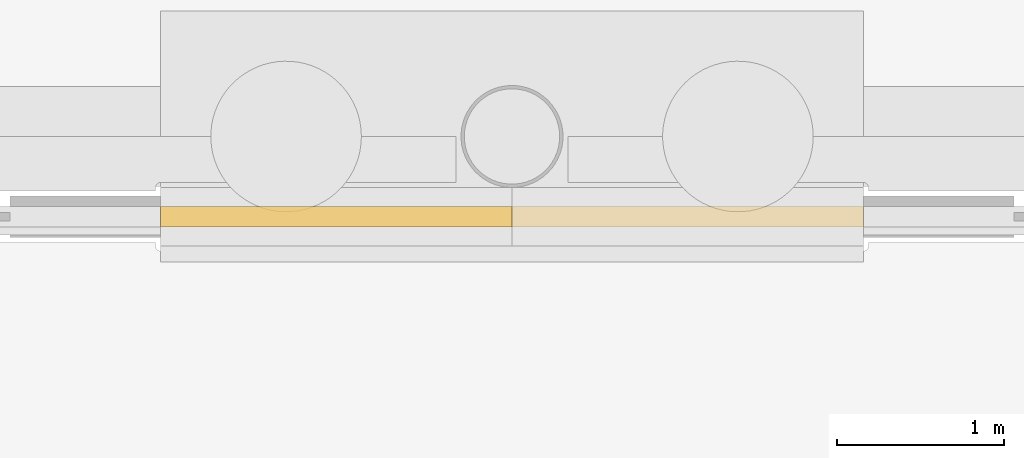
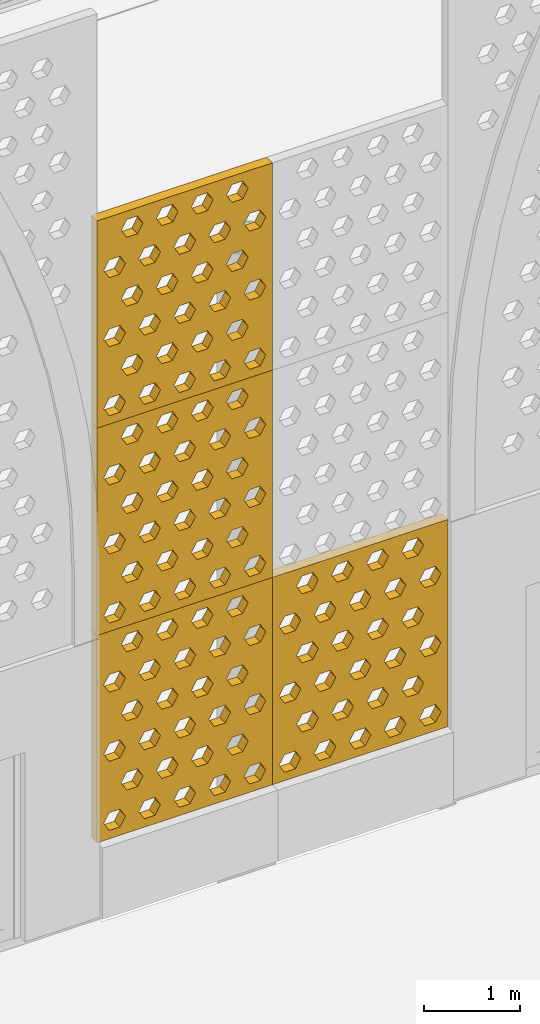
# One storey, part 193 of 250: 4 shading devices.
"""IFC4 building model written with IfcOpenShell, lengths in metres."""

import ifcopenshell
import ifcopenshell.guid

model = None  # the IFC model being written
_history = None  # IfcOwnerHistory: only IFC2X3 demands one
_inside = {}  # id of a spatial element -> (the spatial element, [elements in it])
_under = {}  # id of a project, library or spatial element -> (it, [spatial elements below it])
_declared = {}  # id of a project -> (the project, [libraries it declares])
_typed = {}  # id of a type object -> (the type object, [elements of that type])
_made_of = {}  # id of a material, layer set ... -> (it, [elements and type objects made of it])


def new_model(schema):
    """Start an empty IFC model of exactly this schema.

    Asked for "IFC4X3", IfcOpenShell would pick the latest addendum, in which some entities
    have other attributes; the version numbers below select the first issue.
    IFC2X3 requires an IfcOwnerHistory on every rooted entity: one is made here for all.
    """
    global model, _history
    if schema == "IFC4X3":
        model = ifcopenshell.file(schema_version=(4, 3, 0, 0))
    else:
        model = ifcopenshell.file(schema=schema)
    _inside.clear()
    _under.clear()
    _declared.clear()
    _typed.clear()
    _made_of.clear()
    _history = None
    if model.schema == "IFC2X3":
        org = make("IfcOrganization", Name="unknown")
        user = make(
            "IfcPersonAndOrganization",
            ThePerson=make("IfcPerson", FamilyName="unknown"),
            TheOrganization=org,
        )
        app = make(
            "IfcApplication",
            ApplicationDeveloper=org,
            Version="unknown",
            ApplicationFullName="unknown",
            ApplicationIdentifier="unknown",
        )
        _history = make(
            "IfcOwnerHistory",
            OwningUser=user,
            OwningApplication=app,
            ChangeAction="ADDED",
            CreationDate=0,
        )
    return model


def make(cls, **values):
    """One entity of the class cls with the attributes given. An attribute that is None is left unset."""
    return model.create_entity(
        cls, **{name: value for name, value in values.items() if value is not None}
    )


def rooted(cls, **values):
    """An entity with a GlobalId (a new one), such as an element, a storey or a relation."""
    return make(cls, GlobalId=ifcopenshell.guid.new(), OwnerHistory=_history, **values)


def si_unit(unit_type, name, prefix=None):
    """IfcSIUnit, for example si_unit("LENGTHUNIT", "METRE", prefix="MILLI")."""
    return make("IfcSIUnit", UnitType=unit_type, Prefix=prefix, Name=name)


def assignment(units):
    """IfcUnitAssignment: the units of a project."""
    return None if units is None else make("IfcUnitAssignment", Units=units)


def point(xyz):
    """IfcCartesianPoint."""
    return None if xyz is None else make("IfcCartesianPoint", Coordinates=xyz)


def direction(xyz):
    """IfcDirection."""
    return None if xyz is None else make("IfcDirection", DirectionRatios=xyz)


def frame(location, z_axis=None, x_axis=None):
    """IfcAxis2Placement3D, a coordinate frame: its origin and axes. An axis left out is left unset."""
    return make(
        "IfcAxis2Placement3D",
        Location=point(location),
        Axis=direction(z_axis),
        RefDirection=direction(x_axis),
    )


def origin():
    """The frame at (0, 0, 0) with its axes left unset."""
    return frame((0.0, 0.0, 0.0))


def place(relative_to, where):
    """IfcLocalPlacement: puts the frame where relative to a parent placement (None: the world)."""
    return make(
        "IfcLocalPlacement", PlacementRelTo=relative_to, RelativePlacement=where
    )


def context(
    kind, dimensions, precision=None, world=None, true_north=None, identifier=None
):
    """IfcGeometricRepresentationContext, for example the 3D "Model" context."""
    return make(
        "IfcGeometricRepresentationContext",
        ContextIdentifier=identifier,
        ContextType=kind,
        CoordinateSpaceDimension=dimensions,
        Precision=precision,
        WorldCoordinateSystem=world,
        TrueNorth=true_north,
    )


def subcontext(parent, identifier, kind, view, scale=None):
    """IfcGeometricRepresentationSubContext, for example "Body" below "Model"."""
    return make(
        "IfcGeometricRepresentationSubContext",
        ContextIdentifier=identifier,
        ContextType=kind,
        ParentContext=parent,
        TargetScale=scale,
        TargetView=view,
    )


def project(units=None, contexts=None):
    """IfcProject with its units and contexts."""
    return rooted(
        "IfcProject",
        Name="project",
        RepresentationContexts=contexts,
        UnitsInContext=assignment(units),
    )


def spatial(cls, under=None, at=None, **own):
    """A site, building, storey or space (cls), placed at a placement, below another one or the project."""
    s = rooted(cls, ObjectPlacement=at, **own)
    if under is not None:
        _under.setdefault(under.id(), (under, []))[1].append(s)
    return s


def polyline(points):
    """IfcPolyline through the points."""
    return make("IfcPolyline", Points=[point(p) for p in points])


def outline(outer, holes=None, kind="AREA"):
    """IfcArbitraryClosedProfileDef: a profile drawn as a closed curve; with holes, ...WithVoids."""
    if holes is None:
        return make("IfcArbitraryClosedProfileDef", ProfileType=kind, OuterCurve=outer)
    return make(
        "IfcArbitraryProfileDefWithVoids",
        ProfileType=kind,
        OuterCurve=outer,
        InnerCurves=holes,
    )


def extrude(swept, where, along, depth):
    """IfcExtrudedAreaSolid: the profile swept, set in the frame where, extruded along a direction by depth."""
    return make(
        "IfcExtrudedAreaSolid",
        SweptArea=swept,
        Position=where,
        ExtrudedDirection=direction(along),
        Depth=depth,
    )


def shape(context_of_items, identifier, shape_type, items):
    """IfcShapeRepresentation: the items that make up one representation, for example the "Body"."""
    return make(
        "IfcShapeRepresentation",
        ContextOfItems=context_of_items,
        RepresentationIdentifier=identifier,
        RepresentationType=shape_type,
        Items=items,
    )


def material(Name=None, Category=None):
    """IfcMaterial."""
    return make("IfcMaterial", Name=Name, Category=Category)


def layer(
    of_material, thickness, ventilated=None, Name=None, Category=None, Priority=None
):
    """IfcMaterialLayer: one layer of a wall or slab, of a material (None: an air gap)."""
    return make(
        "IfcMaterialLayer",
        Material=of_material,
        LayerThickness=thickness,
        IsVentilated=ventilated,
        Name=Name,
        Category=Category,
        Priority=Priority,
    )


def layer_set(layers, Name=None):
    """IfcMaterialLayerSet."""
    return make("IfcMaterialLayerSet", MaterialLayers=layers, LayerSetName=Name)


def made_of(thing, what):
    """Note that an element or type object is made of a material, layer set ...; save() writes the relation."""
    if what is not None:
        _made_of.setdefault(what.id(), (what, []))[1].append(thing)
    return thing


def type_object(cls, material=None, **own):
    """A type object (cls), such as IfcWallType, which elements share."""
    return made_of(rooted(cls, **own), material)


def element(
    cls,
    number,
    at=None,
    inside=None,
    cuts=None,
    type_object=None,
    material=None,
    context=None,
    identifier="Body",
    shape_type=None,
    held_by="IfcProductDefinitionShape",
    body=None,
    shapes=None,
    **own,
):
    """One element of the class cls, such as IfcWall. Its Tag is "e" and its number.

    at: its placement. inside: the storey or other place that contains it. cuts: it is an
    opening in that element (IfcRelVoidsElement). A single representation is given by context,
    identifier, shape_type and body (its items); several are given by shapes. held_by: the class
    of the entity that holds the representations. save() writes the other relations.
    """
    e = rooted(cls, Tag="e%d" % number, ObjectPlacement=at, **own)
    if body is not None:
        shapes = [shape(context, identifier, shape_type, body)]
    if shapes is not None:
        e.Representation = make(held_by, Representations=shapes)
    if inside is not None:
        _inside.setdefault(inside.id(), (inside, []))[1].append(e)
    if cuts is not None:
        rooted(
            "IfcRelVoidsElement", RelatingBuildingElement=cuts, RelatedOpeningElement=e
        )
    if type_object is not None:
        _typed.setdefault(type_object.id(), (type_object, []))[1].append(e)
    return made_of(e, material)


def aggregate(whole, parts):
    """IfcRelAggregates: a whole, such as a stair, and the parts it consists of."""
    return rooted("IfcRelAggregates", RelatingObject=whole, RelatedObjects=parts)


def save(model, path):
    """Write the relations noted so far, then the file.

    IfcRelAggregates (storeys below a building ...), IfcRelContainedInSpatialStructure (elements
    in a storey), IfcRelDefinesByType, IfcRelAssociatesMaterial and IfcRelDeclares: one each for
    every whole, place, type object, material and project.
    """
    for whole, parts in _under.values():
        aggregate(whole, parts)
    for where, things in _inside.values():
        rooted(
            "IfcRelContainedInSpatialStructure",
            RelatedElements=things,
            RelatingStructure=where,
        )
    for kind, things in _typed.values():
        rooted("IfcRelDefinesByType", RelatedObjects=things, RelatingType=kind)
    for what, things in _made_of.values():
        rooted("IfcRelAssociatesMaterial", RelatedObjects=things, RelatingMaterial=what)
    for by, libraries in _declared.values():
        rooted("IfcRelDeclares", RelatingContext=by, RelatedDefinitions=libraries)
    model.write(path)


model = new_model("IFC4")

# Units and contexts
model_context = context("Model", 3, precision=1e-05, world=origin(), true_north=direction((0.0, 1.0)))
body_context = subcontext(model_context, "Body", "Model", "MODEL_VIEW")
ifc_project = project(units=[si_unit("LENGTHUNIT", "METRE"), si_unit("AREAUNIT", "SQUARE_METRE"), si_unit("VOLUMEUNIT", "CUBIC_METRE"), si_unit("PLANEANGLEUNIT", "RADIAN"), si_unit("MASSUNIT", "GRAM", prefix="KILO")], contexts=[model_context])

# Site, building, storey
site_placement = place(None, origin())
site = spatial("IfcSite", under=ifc_project, at=site_placement, CompositionType="ELEMENT")
building_placement = place(site_placement, origin())
building = spatial("IfcBuilding", under=site, at=building_placement, Name="Baradari Gate Terminus", CompositionType="ELEMENT")
storey_placement = place(building_placement, origin())
storey = spatial("IfcBuildingStorey", under=building, at=storey_placement, Name="L00", CompositionType="ELEMENT", Elevation=0.0)

# Shading devices
ifc_material = material(Name="Concrete C50/60 precast", Category="concrete")
ifc_layer = layer(ifc_material, 0.1201171875)
ifc_layer_set = layer_set([ifc_layer], Name="Concrete C50/60 precast")
shading_device_type = type_object("IfcShadingDeviceType", Name="Jali screen panel JS-2 120", PredefinedType="SHUTTER", material=ifc_layer_set)
shading_device_1_placement = place(storey_placement, frame((177.89990234375, 35.52001953125, 0.89990234375), z_axis=(0.0, 0.0, 1.0), x_axis=(1.0, 0.0, 0.0)))
element("IfcShadingDevice", 1, at=shading_device_1_placement, inside=storey, type_object=shading_device_type, Name="Jali screen panel JS-2 SC02c row 1 panel 1", PredefinedType="SHUTTER", context=body_context, shape_type="SweptSolid", body=[
    extrude(outline(polyline([(0.0, 0.0), (2.10009765625, 0.0), (2.10009765625, 2.625), (0.0, 2.625), (0.0, 0.0)]), holes=[polyline([(0.340087890625, 0.21875), (0.27490234375, 0.106201171875), (0.14501953125, 0.106201171875), (0.080078125, 0.21875), (0.14501953125, 0.33154296875), (0.27490234375, 0.33154296875), (0.340087890625, 0.21875)]), polyline([(0.760009765625, 0.21875), (0.695068359375, 0.106201171875), (0.56494140625, 0.106201171875), (0.5, 0.21875), (0.56494140625, 0.33154296875), (0.695068359375, 0.33154296875), (0.760009765625, 0.21875)]), polyline([(1.179931640625, 0.21875), (1.114990234375, 0.106201171875), (0.985107421875, 0.106201171875), (0.919921875, 0.21875), (0.985107421875, 0.33154296875), (1.114990234375, 0.33154296875), (1.179931640625, 0.21875)]), polyline([(1.60009765625, 0.21875), (1.534912109375, 0.106201171875), (1.405029296875, 0.106201171875), (1.340087890625, 0.21875), (1.405029296875, 0.33154296875), (1.534912109375, 0.33154296875), (1.60009765625, 0.21875)]), polyline([(2.02001953125, 0.21875), (1.955078125, 0.106201171875), (1.824951171875, 0.106201171875), (1.760009765625, 0.21875), (1.824951171875, 0.33154296875), (1.955078125, 0.33154296875), (2.02001953125, 0.21875)]), polyline([(0.550048828125, 0.65625), (0.485107421875, 0.543701171875), (0.35498046875, 0.543701171875), (0.2900390625, 0.65625), (0.35498046875, 0.76904296875), (0.485107421875, 0.76904296875), (0.550048828125, 0.65625)]), polyline([(0.969970703125, 0.65625), (0.905029296875, 0.543701171875), (0.77490234375, 0.543701171875), (0.7099609375, 0.65625), (0.77490234375, 0.76904296875), (0.905029296875, 0.76904296875), (0.969970703125, 0.65625)]), polyline([(1.389892578125, 0.65625), (1.324951171875, 0.543701171875), (1.195068359375, 0.543701171875), (1.1298828125, 0.65625), (1.195068359375, 0.76904296875), (1.324951171875, 0.76904296875), (1.389892578125, 0.65625)]), polyline([(1.81005859375, 0.65625), (1.7451171875, 0.543701171875), (1.614990234375, 0.543701171875), (1.550048828125, 0.65625), (1.614990234375, 0.76904296875), (1.7451171875, 0.76904296875), (1.81005859375, 0.65625)]), polyline([(0.340087890625, 1.09375), (0.27490234375, 0.981201171875), (0.14501953125, 0.981201171875), (0.080078125, 1.09375), (0.14501953125, 1.20654296875), (0.27490234375, 1.20654296875), (0.340087890625, 1.09375)]), polyline([(0.760009765625, 1.09375), (0.695068359375, 0.981201171875), (0.56494140625, 0.981201171875), (0.5, 1.09375), (0.56494140625, 1.20654296875), (0.695068359375, 1.20654296875), (0.760009765625, 1.09375)]), polyline([(1.179931640625, 1.09375), (1.114990234375, 0.981201171875), (0.985107421875, 0.981201171875), (0.919921875, 1.09375), (0.985107421875, 1.20654296875), (1.114990234375, 1.20654296875), (1.179931640625, 1.09375)]), polyline([(1.60009765625, 1.09375), (1.534912109375, 0.981201171875), (1.405029296875, 0.981201171875), (1.340087890625, 1.09375), (1.405029296875, 1.20654296875), (1.534912109375, 1.20654296875), (1.60009765625, 1.09375)]), polyline([(2.02001953125, 1.09375), (1.955078125, 0.981201171875), (1.824951171875, 0.981201171875), (1.760009765625, 1.09375), (1.824951171875, 1.20654296875), (1.955078125, 1.20654296875), (2.02001953125, 1.09375)]), polyline([(0.550048828125, 1.53125), (0.485107421875, 1.418701171875), (0.35498046875, 1.418701171875), (0.2900390625, 1.53125), (0.35498046875, 1.64404296875), (0.485107421875, 1.64404296875), (0.550048828125, 1.53125)]), polyline([(0.969970703125, 1.53125), (0.905029296875, 1.418701171875), (0.77490234375, 1.418701171875), (0.7099609375, 1.53125), (0.77490234375, 1.64404296875), (0.905029296875, 1.64404296875), (0.969970703125, 1.53125)]), polyline([(1.389892578125, 1.53125), (1.324951171875, 1.418701171875), (1.195068359375, 1.418701171875), (1.1298828125, 1.53125), (1.195068359375, 1.64404296875), (1.324951171875, 1.64404296875), (1.389892578125, 1.53125)]), polyline([(1.81005859375, 1.53125), (1.7451171875, 1.418701171875), (1.614990234375, 1.418701171875), (1.550048828125, 1.53125), (1.614990234375, 1.64404296875), (1.7451171875, 1.64404296875), (1.81005859375, 1.53125)]), polyline([(0.340087890625, 1.96875), (0.27490234375, 1.856201171875), (0.14501953125, 1.856201171875), (0.080078125, 1.96875), (0.14501953125, 2.08154296875), (0.27490234375, 2.08154296875), (0.340087890625, 1.96875)]), polyline([(0.760009765625, 1.96875), (0.695068359375, 1.856201171875), (0.56494140625, 1.856201171875), (0.5, 1.96875), (0.56494140625, 2.08154296875), (0.695068359375, 2.08154296875), (0.760009765625, 1.96875)]), polyline([(1.179931640625, 1.96875), (1.114990234375, 1.856201171875), (0.985107421875, 1.856201171875), (0.919921875, 1.96875), (0.985107421875, 2.08154296875), (1.114990234375, 2.08154296875), (1.179931640625, 1.96875)]), polyline([(1.60009765625, 1.96875), (1.534912109375, 1.856201171875), (1.405029296875, 1.856201171875), (1.340087890625, 1.96875), (1.405029296875, 2.08154296875), (1.534912109375, 2.08154296875), (1.60009765625, 1.96875)]), polyline([(2.02001953125, 1.96875), (1.955078125, 1.856201171875), (1.824951171875, 1.856201171875), (1.760009765625, 1.96875), (1.824951171875, 2.08154296875), (1.955078125, 2.08154296875), (2.02001953125, 1.96875)]), polyline([(0.550048828125, 2.40625), (0.485107421875, 2.293701171875), (0.35498046875, 2.293701171875), (0.2900390625, 2.40625), (0.35498046875, 2.51904296875), (0.485107421875, 2.51904296875), (0.550048828125, 2.40625)]), polyline([(0.969970703125, 2.40625), (0.905029296875, 2.293701171875), (0.77490234375, 2.293701171875), (0.7099609375, 2.40625), (0.77490234375, 2.51904296875), (0.905029296875, 2.51904296875), (0.969970703125, 2.40625)]), polyline([(1.389892578125, 2.40625), (1.324951171875, 2.293701171875), (1.195068359375, 2.293701171875), (1.1298828125, 2.40625), (1.195068359375, 2.51904296875), (1.324951171875, 2.51904296875), (1.389892578125, 2.40625)]), polyline([(1.81005859375, 2.40625), (1.7451171875, 2.293701171875), (1.614990234375, 2.293701171875), (1.550048828125, 2.40625), (1.614990234375, 2.51904296875), (1.7451171875, 2.51904296875), (1.81005859375, 2.40625)])]), frame((0.0, 0.06005859375, 0.0), z_axis=(0.0, -1.0, 0.0), x_axis=(1.0, 0.0, 0.0)), (0.0, 0.0, 1.0), 0.1201171875),
])
shading_device_2_placement = place(storey_placement, frame((177.89990234375, 35.52001953125, 3.52490234375), z_axis=(0.0, 0.0, 1.0), x_axis=(1.0, 0.0, 0.0)))
element("IfcShadingDevice", 2, at=shading_device_2_placement, inside=storey, type_object=shading_device_type, Name="Jali screen panel JS-2 SC02c row 2 panel 1", PredefinedType="SHUTTER", context=body_context, shape_type="SweptSolid", body=[
    extrude(outline(polyline([(0.0, 0.0), (2.10009765625, 0.0), (2.10009765625, 2.625), (0.0, 2.625), (0.0, 0.0)]), holes=[polyline([(0.340087890625, 0.21875), (0.27490234375, 0.106201171875), (0.14501953125, 0.106201171875), (0.080078125, 0.21875), (0.14501953125, 0.33154296875), (0.27490234375, 0.33154296875), (0.340087890625, 0.21875)]), polyline([(0.760009765625, 0.21875), (0.695068359375, 0.106201171875), (0.56494140625, 0.106201171875), (0.5, 0.21875), (0.56494140625, 0.33154296875), (0.695068359375, 0.33154296875), (0.760009765625, 0.21875)]), polyline([(1.179931640625, 0.21875), (1.114990234375, 0.106201171875), (0.985107421875, 0.106201171875), (0.919921875, 0.21875), (0.985107421875, 0.33154296875), (1.114990234375, 0.33154296875), (1.179931640625, 0.21875)]), polyline([(1.60009765625, 0.21875), (1.534912109375, 0.106201171875), (1.405029296875, 0.106201171875), (1.340087890625, 0.21875), (1.405029296875, 0.33154296875), (1.534912109375, 0.33154296875), (1.60009765625, 0.21875)]), polyline([(2.02001953125, 0.21875), (1.955078125, 0.106201171875), (1.824951171875, 0.106201171875), (1.760009765625, 0.21875), (1.824951171875, 0.33154296875), (1.955078125, 0.33154296875), (2.02001953125, 0.21875)]), polyline([(0.550048828125, 0.65625), (0.485107421875, 0.543701171875), (0.35498046875, 0.543701171875), (0.2900390625, 0.65625), (0.35498046875, 0.76904296875), (0.485107421875, 0.76904296875), (0.550048828125, 0.65625)]), polyline([(0.969970703125, 0.65625), (0.905029296875, 0.543701171875), (0.77490234375, 0.543701171875), (0.7099609375, 0.65625), (0.77490234375, 0.76904296875), (0.905029296875, 0.76904296875), (0.969970703125, 0.65625)]), polyline([(1.389892578125, 0.65625), (1.324951171875, 0.543701171875), (1.195068359375, 0.543701171875), (1.1298828125, 0.65625), (1.195068359375, 0.76904296875), (1.324951171875, 0.76904296875), (1.389892578125, 0.65625)]), polyline([(1.81005859375, 0.65625), (1.7451171875, 0.543701171875), (1.614990234375, 0.543701171875), (1.550048828125, 0.65625), (1.614990234375, 0.76904296875), (1.7451171875, 0.76904296875), (1.81005859375, 0.65625)]), polyline([(0.340087890625, 1.09375), (0.27490234375, 0.981201171875), (0.14501953125, 0.981201171875), (0.080078125, 1.09375), (0.14501953125, 1.20654296875), (0.27490234375, 1.20654296875), (0.340087890625, 1.09375)]), polyline([(0.760009765625, 1.09375), (0.695068359375, 0.981201171875), (0.56494140625, 0.981201171875), (0.5, 1.09375), (0.56494140625, 1.20654296875), (0.695068359375, 1.20654296875), (0.760009765625, 1.09375)]), polyline([(1.179931640625, 1.09375), (1.114990234375, 0.981201171875), (0.985107421875, 0.981201171875), (0.919921875, 1.09375), (0.985107421875, 1.20654296875), (1.114990234375, 1.20654296875), (1.179931640625, 1.09375)]), polyline([(1.60009765625, 1.09375), (1.534912109375, 0.981201171875), (1.405029296875, 0.981201171875), (1.340087890625, 1.09375), (1.405029296875, 1.20654296875), (1.534912109375, 1.20654296875), (1.60009765625, 1.09375)]), polyline([(2.02001953125, 1.09375), (1.955078125, 0.981201171875), (1.824951171875, 0.981201171875), (1.760009765625, 1.09375), (1.824951171875, 1.20654296875), (1.955078125, 1.20654296875), (2.02001953125, 1.09375)]), polyline([(0.550048828125, 1.53125), (0.485107421875, 1.418701171875), (0.35498046875, 1.418701171875), (0.2900390625, 1.53125), (0.35498046875, 1.64404296875), (0.485107421875, 1.64404296875), (0.550048828125, 1.53125)]), polyline([(0.969970703125, 1.53125), (0.905029296875, 1.418701171875), (0.77490234375, 1.418701171875), (0.7099609375, 1.53125), (0.77490234375, 1.64404296875), (0.905029296875, 1.64404296875), (0.969970703125, 1.53125)]), polyline([(1.389892578125, 1.53125), (1.324951171875, 1.418701171875), (1.195068359375, 1.418701171875), (1.1298828125, 1.53125), (1.195068359375, 1.64404296875), (1.324951171875, 1.64404296875), (1.389892578125, 1.53125)]), polyline([(1.81005859375, 1.53125), (1.7451171875, 1.418701171875), (1.614990234375, 1.418701171875), (1.550048828125, 1.53125), (1.614990234375, 1.64404296875), (1.7451171875, 1.64404296875), (1.81005859375, 1.53125)]), polyline([(0.340087890625, 1.96875), (0.27490234375, 1.856201171875), (0.14501953125, 1.856201171875), (0.080078125, 1.96875), (0.14501953125, 2.08154296875), (0.27490234375, 2.08154296875), (0.340087890625, 1.96875)]), polyline([(0.760009765625, 1.96875), (0.695068359375, 1.856201171875), (0.56494140625, 1.856201171875), (0.5, 1.96875), (0.56494140625, 2.08154296875), (0.695068359375, 2.08154296875), (0.760009765625, 1.96875)]), polyline([(1.179931640625, 1.96875), (1.114990234375, 1.856201171875), (0.985107421875, 1.856201171875), (0.919921875, 1.96875), (0.985107421875, 2.08154296875), (1.114990234375, 2.08154296875), (1.179931640625, 1.96875)]), polyline([(1.60009765625, 1.96875), (1.534912109375, 1.856201171875), (1.405029296875, 1.856201171875), (1.340087890625, 1.96875), (1.405029296875, 2.08154296875), (1.534912109375, 2.08154296875), (1.60009765625, 1.96875)]), polyline([(2.02001953125, 1.96875), (1.955078125, 1.856201171875), (1.824951171875, 1.856201171875), (1.760009765625, 1.96875), (1.824951171875, 2.08154296875), (1.955078125, 2.08154296875), (2.02001953125, 1.96875)]), polyline([(0.550048828125, 2.40625), (0.485107421875, 2.293701171875), (0.35498046875, 2.293701171875), (0.2900390625, 2.40625), (0.35498046875, 2.51904296875), (0.485107421875, 2.51904296875), (0.550048828125, 2.40625)]), polyline([(0.969970703125, 2.40625), (0.905029296875, 2.293701171875), (0.77490234375, 2.293701171875), (0.7099609375, 2.40625), (0.77490234375, 2.51904296875), (0.905029296875, 2.51904296875), (0.969970703125, 2.40625)]), polyline([(1.389892578125, 2.40625), (1.324951171875, 2.293701171875), (1.195068359375, 2.293701171875), (1.1298828125, 2.40625), (1.195068359375, 2.51904296875), (1.324951171875, 2.51904296875), (1.389892578125, 2.40625)]), polyline([(1.81005859375, 2.40625), (1.7451171875, 2.293701171875), (1.614990234375, 2.293701171875), (1.550048828125, 2.40625), (1.614990234375, 2.51904296875), (1.7451171875, 2.51904296875), (1.81005859375, 2.40625)])]), frame((0.0, 0.06005859375, 0.0), z_axis=(0.0, -1.0, 0.0), x_axis=(1.0, 0.0, 0.0)), (0.0, 0.0, 1.0), 0.1201171875),
])
shading_device_3_placement = place(storey_placement, frame((177.89990234375, 35.52001953125, 6.14990234375), z_axis=(0.0, 0.0, 1.0), x_axis=(1.0, 0.0, 0.0)))
element("IfcShadingDevice", 3, at=shading_device_3_placement, inside=storey, type_object=shading_device_type, Name="Jali screen panel JS-2 SC02c row 3 panel 1", PredefinedType="SHUTTER", context=body_context, shape_type="SweptSolid", body=[
    extrude(outline(polyline([(0.0, 0.0), (2.10009765625, 0.0), (2.10009765625, 2.625), (0.0, 2.625), (0.0, 0.0)]), holes=[polyline([(0.340087890625, 0.21875), (0.27490234375, 0.106201171875), (0.14501953125, 0.106201171875), (0.080078125, 0.21875), (0.14501953125, 0.33154296875), (0.27490234375, 0.33154296875), (0.340087890625, 0.21875)]), polyline([(0.760009765625, 0.21875), (0.695068359375, 0.106201171875), (0.56494140625, 0.106201171875), (0.5, 0.21875), (0.56494140625, 0.33154296875), (0.695068359375, 0.33154296875), (0.760009765625, 0.21875)]), polyline([(1.179931640625, 0.21875), (1.114990234375, 0.106201171875), (0.985107421875, 0.106201171875), (0.919921875, 0.21875), (0.985107421875, 0.33154296875), (1.114990234375, 0.33154296875), (1.179931640625, 0.21875)]), polyline([(1.60009765625, 0.21875), (1.534912109375, 0.106201171875), (1.405029296875, 0.106201171875), (1.340087890625, 0.21875), (1.405029296875, 0.33154296875), (1.534912109375, 0.33154296875), (1.60009765625, 0.21875)]), polyline([(2.02001953125, 0.21875), (1.955078125, 0.106201171875), (1.824951171875, 0.106201171875), (1.760009765625, 0.21875), (1.824951171875, 0.33154296875), (1.955078125, 0.33154296875), (2.02001953125, 0.21875)]), polyline([(0.550048828125, 0.65625), (0.485107421875, 0.543701171875), (0.35498046875, 0.543701171875), (0.2900390625, 0.65625), (0.35498046875, 0.76904296875), (0.485107421875, 0.76904296875), (0.550048828125, 0.65625)]), polyline([(0.969970703125, 0.65625), (0.905029296875, 0.543701171875), (0.77490234375, 0.543701171875), (0.7099609375, 0.65625), (0.77490234375, 0.76904296875), (0.905029296875, 0.76904296875), (0.969970703125, 0.65625)]), polyline([(1.389892578125, 0.65625), (1.324951171875, 0.543701171875), (1.195068359375, 0.543701171875), (1.1298828125, 0.65625), (1.195068359375, 0.76904296875), (1.324951171875, 0.76904296875), (1.389892578125, 0.65625)]), polyline([(1.81005859375, 0.65625), (1.7451171875, 0.543701171875), (1.614990234375, 0.543701171875), (1.550048828125, 0.65625), (1.614990234375, 0.76904296875), (1.7451171875, 0.76904296875), (1.81005859375, 0.65625)]), polyline([(0.340087890625, 1.09375), (0.27490234375, 0.981201171875), (0.14501953125, 0.981201171875), (0.080078125, 1.09375), (0.14501953125, 1.20654296875), (0.27490234375, 1.20654296875), (0.340087890625, 1.09375)]), polyline([(0.760009765625, 1.09375), (0.695068359375, 0.981201171875), (0.56494140625, 0.981201171875), (0.5, 1.09375), (0.56494140625, 1.20654296875), (0.695068359375, 1.20654296875), (0.760009765625, 1.09375)]), polyline([(1.179931640625, 1.09375), (1.114990234375, 0.981201171875), (0.985107421875, 0.981201171875), (0.919921875, 1.09375), (0.985107421875, 1.20654296875), (1.114990234375, 1.20654296875), (1.179931640625, 1.09375)]), polyline([(1.60009765625, 1.09375), (1.534912109375, 0.981201171875), (1.405029296875, 0.981201171875), (1.340087890625, 1.09375), (1.405029296875, 1.20654296875), (1.534912109375, 1.20654296875), (1.60009765625, 1.09375)]), polyline([(2.02001953125, 1.09375), (1.955078125, 0.981201171875), (1.824951171875, 0.981201171875), (1.760009765625, 1.09375), (1.824951171875, 1.20654296875), (1.955078125, 1.20654296875), (2.02001953125, 1.09375)]), polyline([(0.550048828125, 1.53125), (0.485107421875, 1.418701171875), (0.35498046875, 1.418701171875), (0.2900390625, 1.53125), (0.35498046875, 1.64404296875), (0.485107421875, 1.64404296875), (0.550048828125, 1.53125)]), polyline([(0.969970703125, 1.53125), (0.905029296875, 1.418701171875), (0.77490234375, 1.418701171875), (0.7099609375, 1.53125), (0.77490234375, 1.64404296875), (0.905029296875, 1.64404296875), (0.969970703125, 1.53125)]), polyline([(1.389892578125, 1.53125), (1.324951171875, 1.418701171875), (1.195068359375, 1.418701171875), (1.1298828125, 1.53125), (1.195068359375, 1.64404296875), (1.324951171875, 1.64404296875), (1.389892578125, 1.53125)]), polyline([(1.81005859375, 1.53125), (1.7451171875, 1.418701171875), (1.614990234375, 1.418701171875), (1.550048828125, 1.53125), (1.614990234375, 1.64404296875), (1.7451171875, 1.64404296875), (1.81005859375, 1.53125)]), polyline([(0.340087890625, 1.96875), (0.27490234375, 1.856201171875), (0.14501953125, 1.856201171875), (0.080078125, 1.96875), (0.14501953125, 2.08154296875), (0.27490234375, 2.08154296875), (0.340087890625, 1.96875)]), polyline([(0.760009765625, 1.96875), (0.695068359375, 1.856201171875), (0.56494140625, 1.856201171875), (0.5, 1.96875), (0.56494140625, 2.08154296875), (0.695068359375, 2.08154296875), (0.760009765625, 1.96875)]), polyline([(1.179931640625, 1.96875), (1.114990234375, 1.856201171875), (0.985107421875, 1.856201171875), (0.919921875, 1.96875), (0.985107421875, 2.08154296875), (1.114990234375, 2.08154296875), (1.179931640625, 1.96875)]), polyline([(1.60009765625, 1.96875), (1.534912109375, 1.856201171875), (1.405029296875, 1.856201171875), (1.340087890625, 1.96875), (1.405029296875, 2.08154296875), (1.534912109375, 2.08154296875), (1.60009765625, 1.96875)]), polyline([(2.02001953125, 1.96875), (1.955078125, 1.856201171875), (1.824951171875, 1.856201171875), (1.760009765625, 1.96875), (1.824951171875, 2.08154296875), (1.955078125, 2.08154296875), (2.02001953125, 1.96875)]), polyline([(0.550048828125, 2.40625), (0.485107421875, 2.293701171875), (0.35498046875, 2.293701171875), (0.2900390625, 2.40625), (0.35498046875, 2.51904296875), (0.485107421875, 2.51904296875), (0.550048828125, 2.40625)]), polyline([(0.969970703125, 2.40625), (0.905029296875, 2.293701171875), (0.77490234375, 2.293701171875), (0.7099609375, 2.40625), (0.77490234375, 2.51904296875), (0.905029296875, 2.51904296875), (0.969970703125, 2.40625)]), polyline([(1.389892578125, 2.40625), (1.324951171875, 2.293701171875), (1.195068359375, 2.293701171875), (1.1298828125, 2.40625), (1.195068359375, 2.51904296875), (1.324951171875, 2.51904296875), (1.389892578125, 2.40625)]), polyline([(1.81005859375, 2.40625), (1.7451171875, 2.293701171875), (1.614990234375, 2.293701171875), (1.550048828125, 2.40625), (1.614990234375, 2.51904296875), (1.7451171875, 2.51904296875), (1.81005859375, 2.40625)])]), frame((0.0, 0.06005859375, 0.0), z_axis=(0.0, -1.0, 0.0), x_axis=(1.0, 0.0, 0.0)), (0.0, 0.0, 1.0), 0.1201171875),
])
shading_device_4_placement = place(storey_placement, frame((180.0, 35.52001953125, 0.89990234375), z_axis=(0.0, 0.0, 1.0), x_axis=(1.0, 0.0, 0.0)))
element("IfcShadingDevice", 4, at=shading_device_4_placement, inside=storey, type_object=shading_device_type, Name="Jali screen panel JS-2 SC03a row 1 panel 1", PredefinedType="SHUTTER", context=body_context, shape_type="SweptSolid", body=[
    extrude(outline(polyline([(0.0, 0.0), (2.10009765625, 0.0), (2.10009765625, 2.625), (0.0, 2.625), (0.0, 0.0)]), holes=[polyline([(0.340087890625, 0.21875), (0.27490234375, 0.106201171875), (0.14501953125, 0.106201171875), (0.080078125, 0.21875), (0.14501953125, 0.33154296875), (0.27490234375, 0.33154296875), (0.340087890625, 0.21875)]), polyline([(0.760009765625, 0.21875), (0.695068359375, 0.106201171875), (0.56494140625, 0.106201171875), (0.5, 0.21875), (0.56494140625, 0.33154296875), (0.695068359375, 0.33154296875), (0.760009765625, 0.21875)]), polyline([(1.179931640625, 0.21875), (1.114990234375, 0.106201171875), (0.985107421875, 0.106201171875), (0.919921875, 0.21875), (0.985107421875, 0.33154296875), (1.114990234375, 0.33154296875), (1.179931640625, 0.21875)]), polyline([(1.60009765625, 0.21875), (1.534912109375, 0.106201171875), (1.405029296875, 0.106201171875), (1.340087890625, 0.21875), (1.405029296875, 0.33154296875), (1.534912109375, 0.33154296875), (1.60009765625, 0.21875)]), polyline([(2.02001953125, 0.21875), (1.955078125, 0.106201171875), (1.824951171875, 0.106201171875), (1.760009765625, 0.21875), (1.824951171875, 0.33154296875), (1.955078125, 0.33154296875), (2.02001953125, 0.21875)]), polyline([(0.550048828125, 0.65625), (0.485107421875, 0.543701171875), (0.35498046875, 0.543701171875), (0.2900390625, 0.65625), (0.35498046875, 0.76904296875), (0.485107421875, 0.76904296875), (0.550048828125, 0.65625)]), polyline([(0.969970703125, 0.65625), (0.905029296875, 0.543701171875), (0.77490234375, 0.543701171875), (0.7099609375, 0.65625), (0.77490234375, 0.76904296875), (0.905029296875, 0.76904296875), (0.969970703125, 0.65625)]), polyline([(1.389892578125, 0.65625), (1.324951171875, 0.543701171875), (1.195068359375, 0.543701171875), (1.1298828125, 0.65625), (1.195068359375, 0.76904296875), (1.324951171875, 0.76904296875), (1.389892578125, 0.65625)]), polyline([(1.81005859375, 0.65625), (1.7451171875, 0.543701171875), (1.614990234375, 0.543701171875), (1.550048828125, 0.65625), (1.614990234375, 0.76904296875), (1.7451171875, 0.76904296875), (1.81005859375, 0.65625)]), polyline([(0.340087890625, 1.09375), (0.27490234375, 0.981201171875), (0.14501953125, 0.981201171875), (0.080078125, 1.09375), (0.14501953125, 1.20654296875), (0.27490234375, 1.20654296875), (0.340087890625, 1.09375)]), polyline([(0.760009765625, 1.09375), (0.695068359375, 0.981201171875), (0.56494140625, 0.981201171875), (0.5, 1.09375), (0.56494140625, 1.20654296875), (0.695068359375, 1.20654296875), (0.760009765625, 1.09375)]), polyline([(1.179931640625, 1.09375), (1.114990234375, 0.981201171875), (0.985107421875, 0.981201171875), (0.919921875, 1.09375), (0.985107421875, 1.20654296875), (1.114990234375, 1.20654296875), (1.179931640625, 1.09375)]), polyline([(1.60009765625, 1.09375), (1.534912109375, 0.981201171875), (1.405029296875, 0.981201171875), (1.340087890625, 1.09375), (1.405029296875, 1.20654296875), (1.534912109375, 1.20654296875), (1.60009765625, 1.09375)]), polyline([(2.02001953125, 1.09375), (1.955078125, 0.981201171875), (1.824951171875, 0.981201171875), (1.760009765625, 1.09375), (1.824951171875, 1.20654296875), (1.955078125, 1.20654296875), (2.02001953125, 1.09375)]), polyline([(0.550048828125, 1.53125), (0.485107421875, 1.418701171875), (0.35498046875, 1.418701171875), (0.2900390625, 1.53125), (0.35498046875, 1.64404296875), (0.485107421875, 1.64404296875), (0.550048828125, 1.53125)]), polyline([(0.969970703125, 1.53125), (0.905029296875, 1.418701171875), (0.77490234375, 1.418701171875), (0.7099609375, 1.53125), (0.77490234375, 1.64404296875), (0.905029296875, 1.64404296875), (0.969970703125, 1.53125)]), polyline([(1.389892578125, 1.53125), (1.324951171875, 1.418701171875), (1.195068359375, 1.418701171875), (1.1298828125, 1.53125), (1.195068359375, 1.64404296875), (1.324951171875, 1.64404296875), (1.389892578125, 1.53125)]), polyline([(1.81005859375, 1.53125), (1.7451171875, 1.418701171875), (1.614990234375, 1.418701171875), (1.550048828125, 1.53125), (1.614990234375, 1.64404296875), (1.7451171875, 1.64404296875), (1.81005859375, 1.53125)]), polyline([(0.340087890625, 1.96875), (0.27490234375, 1.856201171875), (0.14501953125, 1.856201171875), (0.080078125, 1.96875), (0.14501953125, 2.08154296875), (0.27490234375, 2.08154296875), (0.340087890625, 1.96875)]), polyline([(0.760009765625, 1.96875), (0.695068359375, 1.856201171875), (0.56494140625, 1.856201171875), (0.5, 1.96875), (0.56494140625, 2.08154296875), (0.695068359375, 2.08154296875), (0.760009765625, 1.96875)]), polyline([(1.179931640625, 1.96875), (1.114990234375, 1.856201171875), (0.985107421875, 1.856201171875), (0.919921875, 1.96875), (0.985107421875, 2.08154296875), (1.114990234375, 2.08154296875), (1.179931640625, 1.96875)]), polyline([(1.60009765625, 1.96875), (1.534912109375, 1.856201171875), (1.405029296875, 1.856201171875), (1.340087890625, 1.96875), (1.405029296875, 2.08154296875), (1.534912109375, 2.08154296875), (1.60009765625, 1.96875)]), polyline([(2.02001953125, 1.96875), (1.955078125, 1.856201171875), (1.824951171875, 1.856201171875), (1.760009765625, 1.96875), (1.824951171875, 2.08154296875), (1.955078125, 2.08154296875), (2.02001953125, 1.96875)]), polyline([(0.550048828125, 2.40625), (0.485107421875, 2.293701171875), (0.35498046875, 2.293701171875), (0.2900390625, 2.40625), (0.35498046875, 2.51904296875), (0.485107421875, 2.51904296875), (0.550048828125, 2.40625)]), polyline([(0.969970703125, 2.40625), (0.905029296875, 2.293701171875), (0.77490234375, 2.293701171875), (0.7099609375, 2.40625), (0.77490234375, 2.51904296875), (0.905029296875, 2.51904296875), (0.969970703125, 2.40625)]), polyline([(1.389892578125, 2.40625), (1.324951171875, 2.293701171875), (1.195068359375, 2.293701171875), (1.1298828125, 2.40625), (1.195068359375, 2.51904296875), (1.324951171875, 2.51904296875), (1.389892578125, 2.40625)]), polyline([(1.81005859375, 2.40625), (1.7451171875, 2.293701171875), (1.614990234375, 2.293701171875), (1.550048828125, 2.40625), (1.614990234375, 2.51904296875), (1.7451171875, 2.51904296875), (1.81005859375, 2.40625)])]), frame((0.0, 0.06005859375, 0.0), z_axis=(0.0, -1.0, 0.0), x_axis=(1.0, 0.0, 0.0)), (0.0, 0.0, 1.0), 0.1201171875),
])

save(model, "model.ifc")
